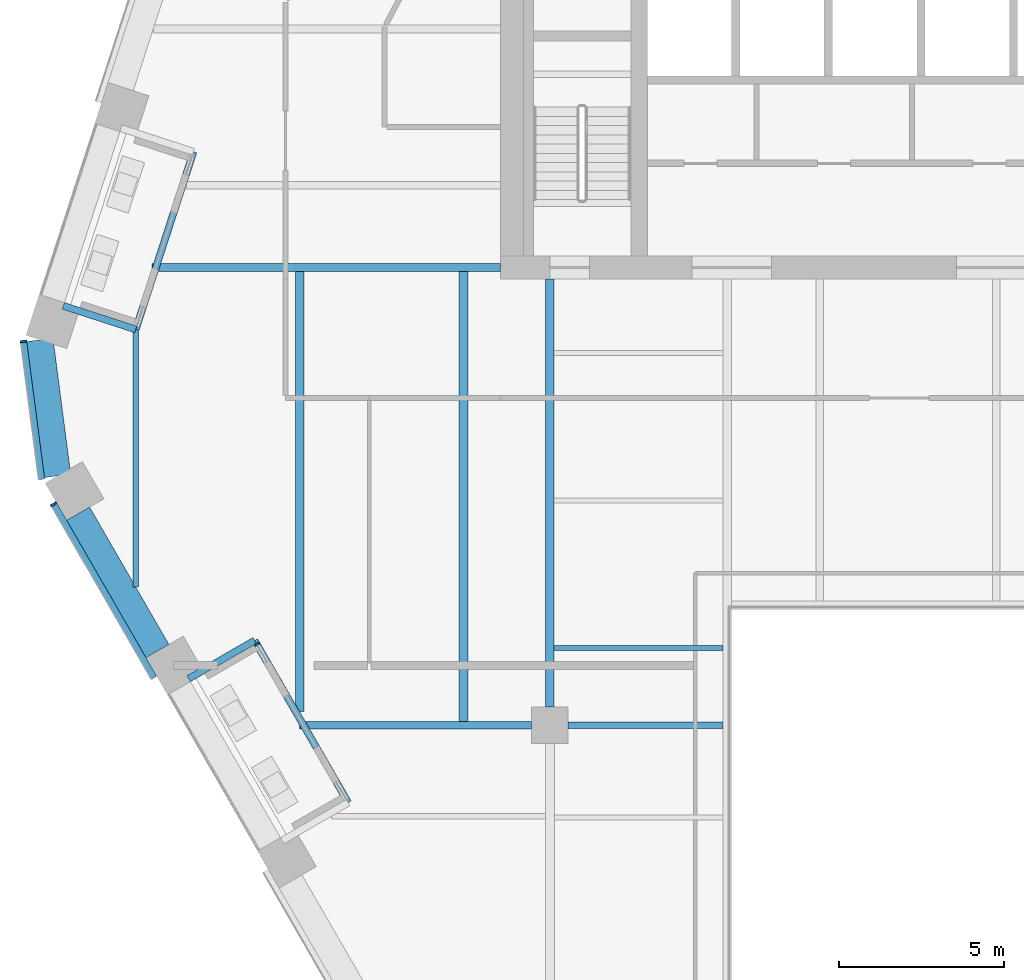
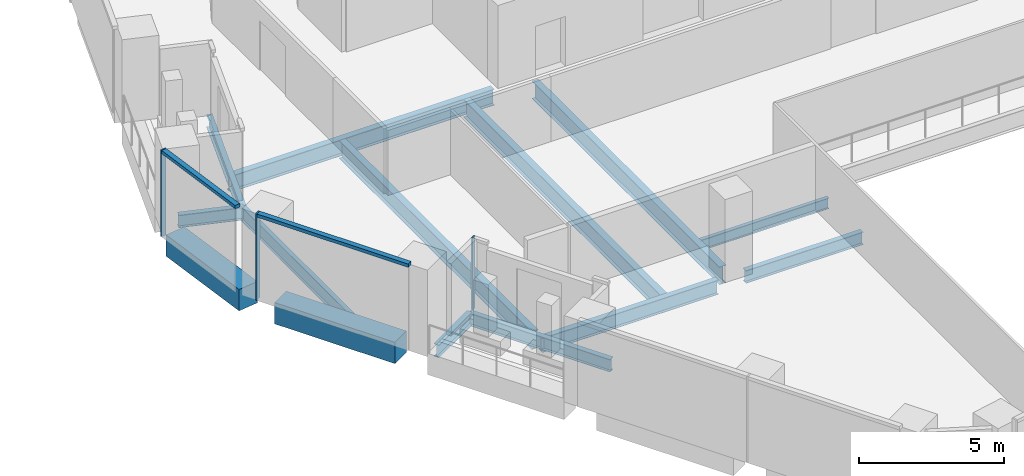
# One storey, part 3 of 25: 14 beams, 5 members, 3 elements without a shape of their own.
"""IFC4 building model written with IfcOpenShell, lengths in metres."""

from ifc_helpers import new_model, si_unit, direction, frame, origin, origin_2d, place, context, subcontext, project, spatial, rectangle, i_section, extrude, material, layer, layer_set, material_profile, profile_set, type_object, element, aggregate, save


model = new_model("IFC4")

# Units and contexts
model_context = context("Model", 3, precision=1e-05, world=origin(), true_north=direction((0.0, 1.0)))
body_context = subcontext(model_context, "Body", "Model", "MODEL_VIEW")
ifc_project = project(units=[si_unit("LENGTHUNIT", "METRE"), si_unit("AREAUNIT", "SQUARE_METRE"), si_unit("VOLUMEUNIT", "CUBIC_METRE"), si_unit("PLANEANGLEUNIT", "RADIAN"), si_unit("MASSUNIT", "GRAM", prefix="KILO")], contexts=[model_context])

# Site, building, storey
site_placement = place(None, origin())
site = spatial("IfcSite", under=ifc_project, at=site_placement, CompositionType="ELEMENT")
building_placement = place(site_placement, origin())
building = spatial("IfcBuilding", under=site, at=building_placement, Name="Isthmus Gate Tower", CompositionType="ELEMENT")
storey_placement = place(building_placement, frame((0.0, 0.0, 174.449951171875)))
storey = spatial("IfcBuildingStorey", under=building, at=storey_placement, Name="L43", CompositionType="ELEMENT", Elevation=174.449951171875)

# Curtain wall, member
ifc_material_1 = material(Name="Aluminium, pale champagne anodised", Category="aluminium")
ifc_layer_1 = layer(ifc_material_1, 0.199951171875)
ifc_layer_set_1 = layer_set([ifc_layer_1], Name="CW-1 UNITISED CURTAIN WALL 200 DEEP")
curtain_wall_type_1 = type_object("IfcCurtainWallType", Name="CW-1 UNITISED CURTAIN WALL 200 DEEP", PredefinedType="NOTDEFINED", material=ifc_layer_set_1)
curtain_wall_1_placement = place(storey_placement, origin())
curtain_wall_1 = element("IfcCurtainWall", 1, at=curtain_wall_1_placement, inside=storey, type_object=curtain_wall_type_1, Name="CW-1 NW-SW L43", PredefinedType="NOTDEFINED")
ifc_material_2 = material(Name="Aluminium, pale champagne anodised", Category="aluminium")
ifc_material_profile_1 = material_profile(ifc_material_2, rectangle(XDim=0.06005859375, YDim=0.199951171875, at=origin_2d()), Name="60x200")
ifc_profile_set_1 = profile_set([ifc_material_profile_1], Name="Aluminium, pale champagne anodised")
member_type_1 = type_object("IfcMemberType", Name="CW-1 MULLION 60 X 200", PredefinedType="MULLION", material=ifc_profile_set_1)
member_1_placement = place(storey_placement, frame((-29.42724609375, -1.88525390625, 0.0), z_axis=(0.0, 0.0, 1.0), x_axis=(0.129164534, -0.991623175988, 0.0)))
member_1 = element("IfcMember", 2, at=member_1_placement, type_object=member_type_1, Name="CW-1 mullion", PredefinedType="MULLION", context=body_context, shape_type="SweptSolid", body=[
    extrude(rectangle(XDim=0.06005859375, YDim=0.199951171875, at=origin_2d()), origin(), (0.0, 0.0, 1.0), 3.650146484375),
])

curtain_wall_2_placement = place(storey_placement, origin())
curtain_wall_2 = element("IfcCurtainWall", 3, at=curtain_wall_2_placement, inside=storey, type_object=curtain_wall_type_1, Name="CW-1 SW L43", PredefinedType="NOTDEFINED")
member_2_placement = place(storey_placement, frame((-28.5146484375, -6.811279296875, 0.0), z_axis=(0.0, 0.0, 1.0), x_axis=(0.5, -0.866025403784, 0.0)))
member_2 = element("IfcMember", 4, at=member_2_placement, type_object=member_type_1, Name="CW-1 mullion", PredefinedType="MULLION", context=body_context, shape_type="SweptSolid", body=[
    extrude(rectangle(XDim=0.06005859375, YDim=0.199951171875, at=origin_2d()), origin(), (0.0, 0.0, 1.0), 3.650146484375),
])

# Member
ifc_material_3 = material(Name="Aluminium, pale champagne anodised", Category="aluminium")
ifc_material_profile_2 = material_profile(ifc_material_3, rectangle(XDim=0.199951171875, YDim=0.139892578125, at=origin_2d()), Name="200x140")
ifc_profile_set_2 = profile_set([ifc_material_profile_2], Name="Aluminium, pale champagne anodised")
member_type_2 = type_object("IfcMemberType", Name="CW-1 TRANSOM 200 X 140", PredefinedType="USERDEFINED", material=ifc_profile_set_2)
member_3_placement = place(storey_placement, frame((-29.42333984375, -1.9150390625, 3.580078125), z_axis=(0.129149481977, -0.991625136483, 0.0), x_axis=(0.991625136483, 0.129149481977, 0.0)))
member_3 = element("IfcMember", 5, at=member_3_placement, type_object=member_type_2, Name="CW-1 transom", ObjectType="TRANSOM", PredefinedType="USERDEFINED", context=body_context, shape_type="SweptSolid", body=[
    extrude(rectangle(XDim=0.199951171875, YDim=0.139892578125, at=origin_2d()), origin(), (0.0, 0.0, 1.0), 4.181396484375),
])

aggregate(curtain_wall_1, [member_1, member_3])

member_4_placement = place(storey_placement, frame((-28.49951171875, -6.837158203125, 3.580078125), z_axis=(0.499990697366, -0.866030774596, 0.0), x_axis=(0.866030774596, 0.499990697366, 0.0)))
member_4 = element("IfcMember", 6, at=member_4_placement, type_object=member_type_2, Name="CW-1 transom", ObjectType="TRANSOM", PredefinedType="USERDEFINED", context=body_context, shape_type="SweptSolid", body=[
    extrude(rectangle(XDim=0.199951171875, YDim=0.139892578125, at=origin_2d()), origin(), (0.0, 0.0, 1.0), 6.0400390625),
])

aggregate(curtain_wall_2, [member_2, member_4])

# Curtain wall, member
ifc_material_4 = material(Name="Aluminium, pale champagne anodised", Category="aluminium")
ifc_layer_2 = layer(ifc_material_4, 0.14990234375)
ifc_layer_set_2 = layer_set([ifc_layer_2], Name="CW-6 LOGGIA BACK WALL GLAZING 150 DEEP")
curtain_wall_type_2 = type_object("IfcCurtainWallType", Name="CW-6 LOGGIA BACK WALL GLAZING 150 DEEP", PredefinedType="NOTDEFINED", material=ifc_layer_set_2)
curtain_wall_3_placement = place(storey_placement, origin())
curtain_wall_3 = element("IfcCurtainWall", 7, at=curtain_wall_3_placement, inside=storey, type_object=curtain_wall_type_2, Name="CW-6 SW L43", PredefinedType="NOTDEFINED")
ifc_material_5 = material(Name="Aluminium, pale champagne anodised", Category="aluminium")
ifc_material_profile_3 = material_profile(ifc_material_5, rectangle(XDim=0.06005859375, YDim=0.14990234375, at=origin_2d()), Name="60x150")
ifc_profile_set_3 = profile_set([ifc_material_profile_3], Name="Aluminium, pale champagne anodised")
member_type_3 = type_object("IfcMemberType", Name="CW-6 MULLION 60 X 150", PredefinedType="MULLION", material=ifc_profile_set_3)
member_5_placement = place(storey_placement, frame((-22.3681640625, -11.05712890625, 0.0), z_axis=(0.0, 0.0, 1.0), x_axis=(0.5, -0.866025403784, 0.0)))
member_5 = element("IfcMember", 8, at=member_5_placement, type_object=member_type_3, Name="CW-6 mullion", PredefinedType="MULLION", context=body_context, shape_type="SweptSolid", body=[
    extrude(rectangle(XDim=0.06005859375, YDim=0.14990234375, at=origin_2d()), origin(), (0.0, 0.0, 1.0), 3.050048828125),
])
aggregate(curtain_wall_3, [member_5])

# Beams
ifc_material_6 = material(Name="Concrete f'c 60 MPa", Category="concrete")
ifc_material_profile_4 = material_profile(ifc_material_6, rectangle(XDim=0.800048828125, YDim=0.89990234375, at=origin_2d()), Name="RC 800X900")
ifc_profile_set_4 = profile_set([ifc_material_profile_4], Name="Concrete f'c 60 MPa")
beam_type_1 = type_object("IfcBeamType", Name="RC SPANDREL 800 X 900", PredefinedType="SPANDREL", material=ifc_profile_set_4)
beam_1_placement = place(storey_placement, frame((-25.37158203125, -11.255126953125, -0.449951171875), z_axis=(-0.499979284789, 0.866037363387, 0.0), x_axis=(-0.866037363387, -0.499979284789, 0.0)))
element("IfcBeam", 9, at=beam_1_placement, inside=storey, type_object=beam_type_1, Name="str-spandrel-L43-19", PredefinedType="SPANDREL", context=body_context, shape_type="SweptSolid", body=[
    extrude(rectangle(XDim=0.800048828125, YDim=0.89990234375, at=origin_2d()), origin(), (0.0, 0.0, 1.0), 4.800048828125),
])
beam_2_placement = place(storey_placement, frame((-28.392822265625, -5.955810546875, -0.449951171875), z_axis=(-0.129170777359, 0.991622362735, 0.0), x_axis=(-0.991622362735, -0.129170777359, 0.0)))
element("IfcBeam", 10, at=beam_2_placement, inside=storey, type_object=beam_type_1, Name="str-spandrel-L43-20", PredefinedType="SPANDREL", context=body_context, shape_type="SweptSolid", body=[
    extrude(rectangle(XDim=0.800048828125, YDim=0.89990234375, at=origin_2d()), origin(), (0.0, 0.0, 1.0), 4.15234375),
])
ifc_material_7 = material(Name="Structural steel ASTM A992 Gr 50", Category="steel")
ifc_material_profile_5 = material_profile(ifc_material_7, i_section(OverallWidth=0.15234375, OverallDepth=0.45068359375, WebThickness=0.0078125, FlangeThickness=0.010986328125, at=origin_2d()), Name="W18X35")
ifc_profile_set_5 = profile_set([ifc_material_profile_5], Name="Structural steel ASTM A992 Gr 50")
beam_type_2 = type_object("IfcBeamType", Name="STEEL FLOOR BEAM W18X35", PredefinedType="JOIST", material=ifc_profile_set_5)
beam_3_placement = place(storey_placement, frame((-13.3681640625, -11.16259765625, -0.375244140625), z_axis=(1.0, 0.0, 0.0), x_axis=(0.0, 1.0, 0.0)))
element("IfcBeam", 11, at=beam_3_placement, inside=storey, type_object=beam_type_2, Name="str-beam-L43-06-00", PredefinedType="JOIST", context=body_context, shape_type="SweptSolid", body=[
    extrude(i_section(OverallWidth=0.15234375, OverallDepth=0.45068359375, WebThickness=0.0078125, FlangeThickness=0.010986328125, at=origin_2d()), origin(), (0.0, 0.0, 1.0), 5.1015625),
])
ifc_material_8 = material(Name="Structural steel ASTM A992 Gr 50", Category="steel")
ifc_material_profile_6 = material_profile(ifc_material_8, i_section(OverallWidth=0.177734375, OverallDepth=0.60009765625, WebThickness=0.009521484375, FlangeThickness=0.0126953125, at=origin_2d()), Name="W24X55")
ifc_profile_set_6 = profile_set([ifc_material_profile_6], Name="Structural steel ASTM A992 Gr 50")
beam_type_3 = type_object("IfcBeamType", Name="STEEL FLOOR BEAM W24X55", PredefinedType="JOIST", material=ifc_profile_set_6)
beam_4_placement = place(storey_placement, frame((-26.028564453125, -9.317138671875, -0.449951171875), z_axis=(0.0, 1.0, 0.0), x_axis=(-1.0, 0.0, 0.0)))
element("IfcBeam", 12, at=beam_4_placement, inside=storey, type_object=beam_type_3, Name="str-beam-L43-02-00", PredefinedType="JOIST", context=body_context, shape_type="SweptSolid", body=[
    extrude(i_section(OverallWidth=0.177734375, OverallDepth=0.60009765625, WebThickness=0.009521484375, FlangeThickness=0.0126953125, at=origin_2d()), origin(), (0.0, 0.0, 1.0), 7.7919921875),
])
ifc_material_9 = material(Name="Structural steel ASTM A992 Gr 50", Category="steel")
ifc_material_profile_7 = material_profile(ifc_material_9, i_section(OverallWidth=0.263427734375, OverallDepth=0.749267578125, WebThickness=0.0126953125, FlangeThickness=0.015869140625, at=origin_2d()), Name="W30X90")
ifc_profile_set_7 = profile_set([ifc_material_profile_7], Name="Structural steel ASTM A992 Gr 50")
beam_type_4 = type_object("IfcBeamType", Name="STEEL FLOOR BEAM W30X90", PredefinedType="JOIST", material=ifc_profile_set_7)
beam_5_placement = place(storey_placement, frame((-21.06982421875, -13.0869140625, -0.524658203125), z_axis=(0.0, 1.0, 0.0), x_axis=(-1.0, 0.0, 0.0)))
element("IfcBeam", 13, at=beam_5_placement, inside=storey, type_object=beam_type_4, Name="str-beam-L43-02-01", PredefinedType="JOIST", context=body_context, shape_type="SweptSolid", body=[
    extrude(i_section(OverallWidth=0.263427734375, OverallDepth=0.749267578125, WebThickness=0.0126953125, FlangeThickness=0.015869140625, at=origin_2d()), origin(), (0.0, 0.0, 1.0), 13.309814453125),
])
beam_6_placement = place(storey_placement, frame((-16.111083984375, -13.3857421875, -0.524658203125), z_axis=(0.0, 1.0, 0.0), x_axis=(-1.0, 0.0, 0.0)))
element("IfcBeam", 14, at=beam_6_placement, inside=storey, type_object=beam_type_4, Name="str-beam-L43-02-02", PredefinedType="JOIST", context=body_context, shape_type="SweptSolid", body=[
    extrude(i_section(OverallWidth=0.263427734375, OverallDepth=0.749267578125, WebThickness=0.0126953125, FlangeThickness=0.015869140625, at=origin_2d()), origin(), (0.0, 0.0, 1.0), 13.608642578125),
])
ifc_material_10 = material(Name="Structural steel ASTM A992 Gr 50", Category="steel")
ifc_material_profile_8 = material_profile(ifc_material_10, i_section(OverallWidth=0.20947265625, OverallDepth=0.533447265625, WebThickness=0.009521484375, FlangeThickness=0.015869140625, at=origin_2d()), Name="W21X62")
ifc_profile_set_8 = profile_set([ifc_material_profile_8], Name="Structural steel ASTM A992 Gr 50")
beam_type_5 = type_object("IfcBeamType", Name="STEEL GIRDER W21X62", PredefinedType="BEAM", material=ifc_profile_set_8)
beam_7_placement = place(storey_placement, frame((-12.949951171875, -13.5, -0.416748046875), z_axis=(1.0, 0.0, 0.0), x_axis=(0.0, 1.0, 0.0)))
element("IfcBeam", 15, at=beam_7_placement, inside=storey, type_object=beam_type_5, Name="str-girder-L43-02", PredefinedType="BEAM", context=body_context, shape_type="SweptSolid", body=[
    extrude(i_section(OverallWidth=0.20947265625, OverallDepth=0.533447265625, WebThickness=0.009521484375, FlangeThickness=0.015869140625, at=origin_2d()), origin(), (0.0, 0.0, 1.0), 4.683349609375),
])
ifc_material_11 = material(Name="Structural steel ASTM A992 Gr 50", Category="steel")
ifc_material_profile_9 = material_profile(ifc_material_11, i_section(OverallWidth=0.228515625, OverallDepth=0.603271484375, WebThickness=0.010986328125, FlangeThickness=0.014404296875, at=origin_2d()), Name="W24X68")
ifc_profile_set_9 = profile_set([ifc_material_profile_9], Name="Structural steel ASTM A992 Gr 50")
beam_type_6 = type_object("IfcBeamType", Name="STEEL GIRDER W24X68", PredefinedType="BEAM", material=ifc_profile_set_9)
beam_8_placement = place(storey_placement, frame((-21.0732421875, -13.5, -0.45166015625), z_axis=(1.0, 0.0, 0.0), x_axis=(0.0, 1.0, 0.0)))
element("IfcBeam", 16, at=beam_8_placement, inside=storey, type_object=beam_type_6, Name="str-girder-L43-01", PredefinedType="BEAM", context=body_context, shape_type="SweptSolid", body=[
    extrude(i_section(OverallWidth=0.228515625, OverallDepth=0.603271484375, WebThickness=0.010986328125, FlangeThickness=0.014404296875, at=origin_2d()), origin(), (0.0, 0.0, 1.0), 7.023193359375),
])
ifc_material_12 = material(Name="Structural steel ASTM A992 Gr 50", Category="steel")
ifc_material_profile_10 = material_profile(ifc_material_12, i_section(OverallWidth=0.25390625, OverallDepth=0.679443359375, WebThickness=0.010986328125, FlangeThickness=0.015869140625, at=origin_2d()), Name="W27X84")
ifc_profile_set_10 = profile_set([ifc_material_profile_10], Name="Structural steel ASTM A992 Gr 50")
beam_type_7 = type_object("IfcBeamType", Name="STEEL GIRDER W27X84", PredefinedType="BEAM", material=ifc_profile_set_10)
beam_9_placement = place(storey_placement, frame((-15.0, 0.35009765625, -0.48974609375), z_axis=(-1.0, 0.0, 0.0), x_axis=(0.0, -1.0, 0.0)))
element("IfcBeam", 17, at=beam_9_placement, inside=storey, type_object=beam_type_7, Name="str-girder-L43-13", PredefinedType="BEAM", context=body_context, shape_type="SweptSolid", body=[
    extrude(i_section(OverallWidth=0.25390625, OverallDepth=0.679443359375, WebThickness=0.010986328125, FlangeThickness=0.015869140625, at=origin_2d()), origin(), (0.0, 0.0, 1.0), 10.529541015625),
])
ifc_material_13 = material(Name="Structural steel ASTM A992 Gr 50", Category="steel")
ifc_material_profile_11 = material_profile(ifc_material_13, i_section(OverallWidth=0.263427734375, OverallDepth=0.749267578125, WebThickness=0.0126953125, FlangeThickness=0.015869140625, at=origin_2d()), Name="W30X90")
ifc_profile_set_11 = profile_set([ifc_material_profile_11], Name="Structural steel ASTM A992 Gr 50")
beam_type_8 = type_object("IfcBeamType", Name="STEEL GIRDER W30X90", PredefinedType="BEAM", material=ifc_profile_set_11)
beam_10_placement = place(storey_placement, frame((-13.5, -12.949951171875, -0.524658203125), z_axis=(0.0, 1.0, 0.0), x_axis=(-1.0, 0.0, 0.0)))
element("IfcBeam", 18, at=beam_10_placement, inside=storey, type_object=beam_type_8, Name="str-girder-L43-08", PredefinedType="BEAM", context=body_context, shape_type="SweptSolid", body=[
    extrude(i_section(OverallWidth=0.263427734375, OverallDepth=0.749267578125, WebThickness=0.0126953125, FlangeThickness=0.015869140625, at=origin_2d()), origin(), (0.0, 0.0, 1.0), 12.949951171875),
])
ifc_material_14 = material(Name="Structural steel ASTM A992 Gr 50", Category="steel")
ifc_material_profile_12 = material_profile(ifc_material_14, i_section(OverallWidth=0.20947265625, OverallDepth=0.533447265625, WebThickness=0.009521484375, FlangeThickness=0.015869140625, at=origin_2d()), Name="W21X62")
ifc_profile_set_12 = profile_set([ifc_material_profile_12], Name="Structural steel ASTM A992 Gr 50")
beam_type_9 = type_object("IfcBeamType", Name="STEEL TRIMMER W21X62", PredefinedType="BEAM", material=ifc_profile_set_12)
beam_11_placement = place(storey_placement, frame((-24.2822265625, 3.849853515625, -0.416748046875), z_axis=(-0.309024520261, -0.951054070954, 0.0), x_axis=(0.951054070954, -0.309024520261, 0.0)))
element("IfcBeam", 19, at=beam_11_placement, inside=storey, type_object=beam_type_9, Name="str-loggiatrim-L43-02-B", PredefinedType="BEAM", context=body_context, shape_type="SweptSolid", body=[
    extrude(i_section(OverallWidth=0.20947265625, OverallDepth=0.533447265625, WebThickness=0.009521484375, FlangeThickness=0.015869140625, at=origin_2d()), origin(), (0.0, 0.0, 1.0), 5.650390625),
])
beam_12_placement = place(storey_placement, frame((-28.22021484375, -0.811767578125, -0.416748046875), z_axis=(0.951060533358, -0.309004630854, 0.0), x_axis=(0.309004630854, 0.951060533358, 0.0)))
element("IfcBeam", 20, at=beam_12_placement, inside=storey, type_object=beam_type_9, Name="str-loggiatrim-L43-02-C", PredefinedType="BEAM", context=body_context, shape_type="SweptSolid", body=[
    extrude(i_section(OverallWidth=0.20947265625, OverallDepth=0.533447265625, WebThickness=0.009521484375, FlangeThickness=0.015869140625, at=origin_2d()), origin(), (0.0, 0.0, 1.0), 2.3046875),
])
beam_13_placement = place(storey_placement, frame((-22.431396484375, -10.93798828125, -0.416748046875), z_axis=(0.499971398983, -0.86604191596, 0.0), x_axis=(0.86604191596, 0.499971398983, 0.0)))
element("IfcBeam", 21, at=beam_13_placement, inside=storey, type_object=beam_type_9, Name="str-loggiatrim-L43-03-B", PredefinedType="BEAM", context=body_context, shape_type="SweptSolid", body=[
    extrude(i_section(OverallWidth=0.20947265625, OverallDepth=0.533447265625, WebThickness=0.009521484375, FlangeThickness=0.015869140625, at=origin_2d()), origin(), (0.0, 0.0, 1.0), 5.659423828125),
])
beam_14_placement = place(storey_placement, frame((-24.427490234375, -12.09033203125, -0.416748046875), z_axis=(0.866044474677, 0.49996696679, 0.0), x_axis=(-0.49996696679, 0.866044474677, 0.0)))
element("IfcBeam", 22, at=beam_14_placement, inside=storey, type_object=beam_type_9, Name="str-loggiatrim-L43-03-A", PredefinedType="BEAM", context=body_context, shape_type="SweptSolid", body=[
    extrude(i_section(OverallWidth=0.20947265625, OverallDepth=0.533447265625, WebThickness=0.009521484375, FlangeThickness=0.015869140625, at=origin_2d()), origin(), (0.0, 0.0, 1.0), 2.304931640625),
])

save(model, "model.ifc")
